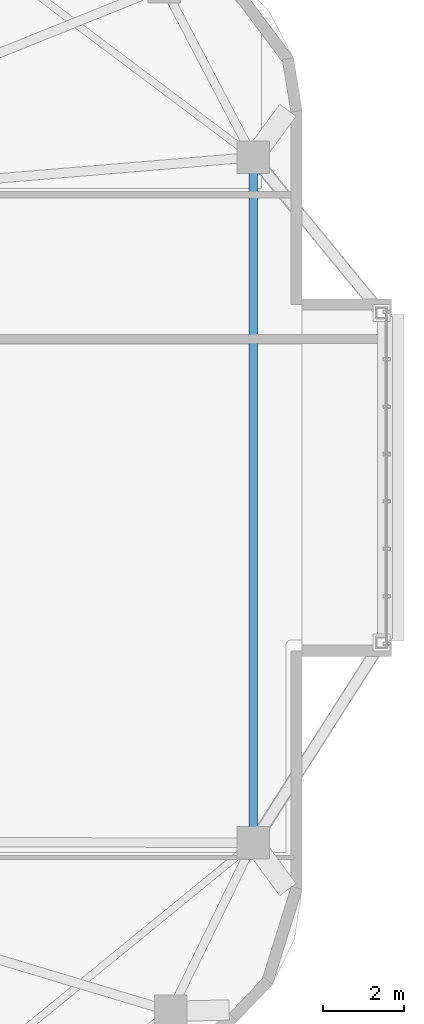
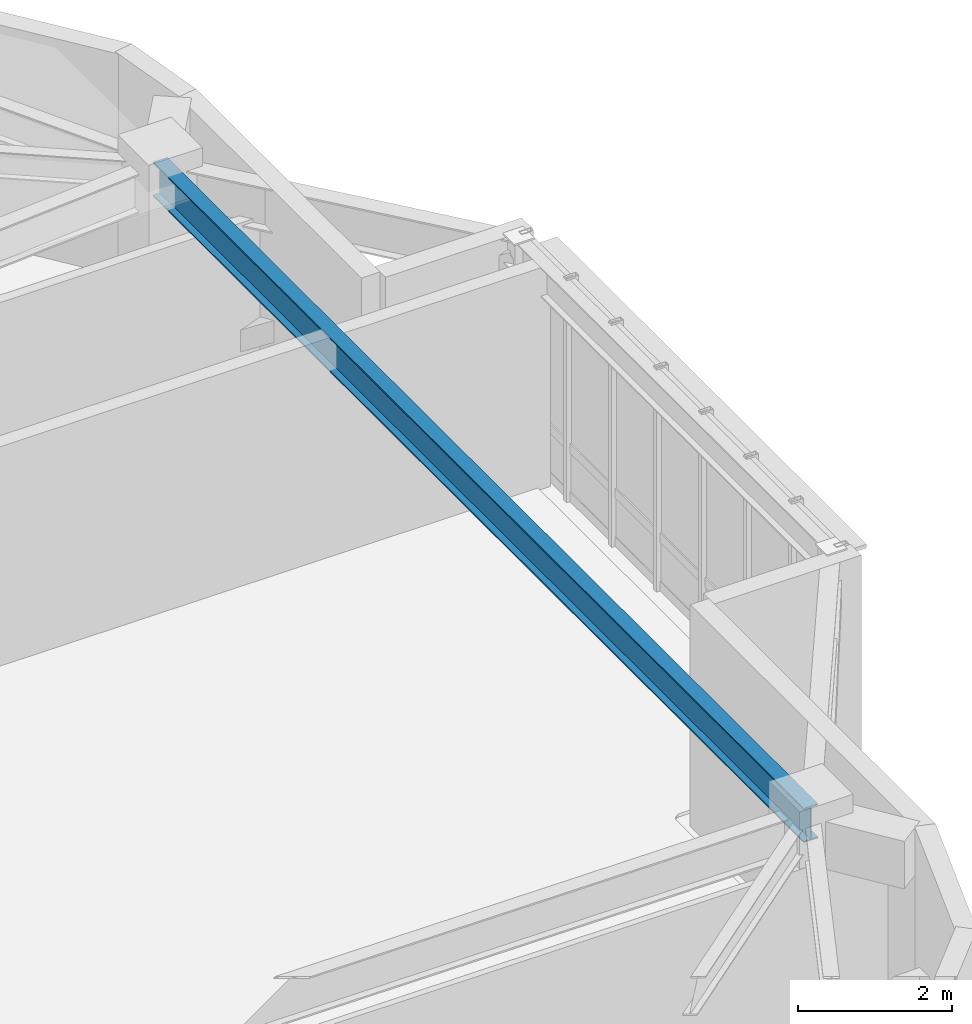
# One storey, part 8 of 18: 1 beam.
"""IFC4 building model written with IfcOpenShell, lengths in metres."""

from ifc_helpers import new_model, si_unit, direction, frame, origin, origin_2d, place, context, subcontext, project, spatial, i_section, extrude, material, material_profile, profile_set, type_object, element, save


model = new_model("IFC4")

# Units and contexts
model_context = context("Model", 3, precision=1e-05, world=origin(), true_north=direction((0.0, 1.0)))
body_context = subcontext(model_context, "Body", "Model", "MODEL_VIEW")
ifc_project = project(units=[si_unit("LENGTHUNIT", "METRE"), si_unit("AREAUNIT", "SQUARE_METRE"), si_unit("VOLUMEUNIT", "CUBIC_METRE"), si_unit("PLANEANGLEUNIT", "RADIAN"), si_unit("MASSUNIT", "GRAM", prefix="KILO")], contexts=[model_context])

# Site, building, storey
site_placement = place(None, origin())
site = spatial("IfcSite", under=ifc_project, at=site_placement, CompositionType="ELEMENT")
building_placement = place(site_placement, origin())
building = spatial("IfcBuilding", under=site, at=building_placement, Name="Zulverin Broadcast Headquarters", CompositionType="ELEMENT")
storey_placement = place(building_placement, frame((0.0, 0.0, 225.0)))
storey = spatial("IfcBuildingStorey", under=building, at=storey_placement, Name="L57", CompositionType="ELEMENT", Elevation=225.0)

# Beam
ifc_material = material(Name="Structural steel S355JR", Category="steel")
ifc_material_profile = material_profile(ifc_material, i_section(OverallWidth=0.2119140625, OverallDepth=0.54443359375, WebThickness=0.0126953125, FlangeThickness=0.021240234375, at=origin_2d()), Name="Structural steel S355JR", Category="steel")
ifc_profile_set = profile_set([ifc_material_profile], Name="Structural steel S355JR")
beam_type = type_object("IfcBeamType", Name="BM-UB-533", PredefinedType="SPANDREL", material=ifc_profile_set)
beam_placement = place(storey_placement, frame((64.300048828125, 17.40771484375, 3.23779296875), z_axis=(0.0, 1.0, 0.0), x_axis=(-1.0, 0.0, 0.0)))
element("IfcBeam", 1, at=beam_placement, inside=storey, type_object=beam_type, Name="L57 Perimeter Spandrel Beam SP-05", PredefinedType="SPANDREL", context=body_context, shape_type="SweptSolid", body=[
    extrude(i_section(OverallWidth=0.2119140625, OverallDepth=0.54443359375, WebThickness=0.0126953125, FlangeThickness=0.021240234375, at=origin_2d()), origin(), (0.0, 0.0, 1.0), 16.867919921875),
])

save(model, "model.ifc")
